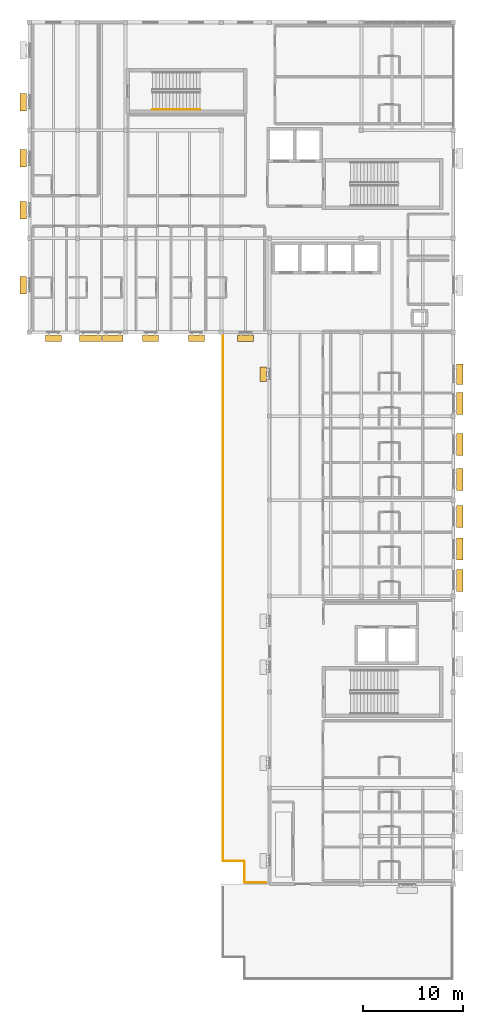
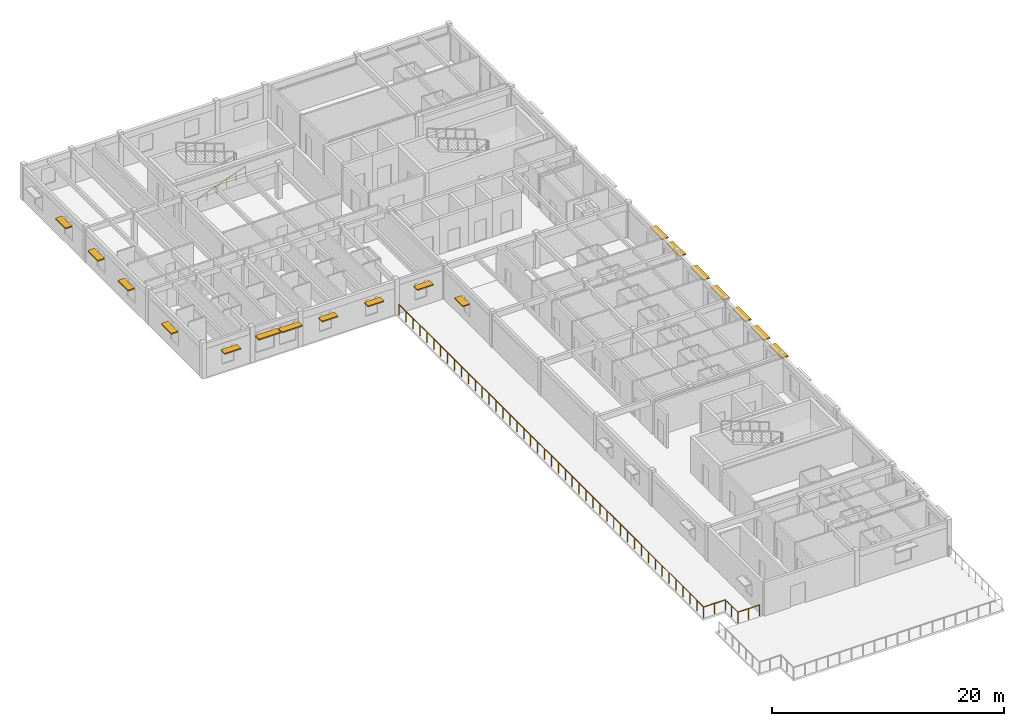
# One storey, part 16 of 18: 18 shading devices, 2 railings.
"""IFC4 building model written with IfcOpenShell, lengths in metres."""

from ifc_helpers import new_model, si_unit, direction, frame, origin, origin_2d, place, context, subcontext, project, spatial, rectangle, circle, extrude, material, type_object, element, save


model = new_model("IFC4")

# Units and contexts
model_context = context("Model", 3, precision=1e-05, world=origin(), true_north=direction((0.0, 1.0)))
body_context = subcontext(model_context, "Body", "Model", "MODEL_VIEW")
ifc_project = project(units=[si_unit("LENGTHUNIT", "METRE"), si_unit("AREAUNIT", "SQUARE_METRE"), si_unit("VOLUMEUNIT", "CUBIC_METRE"), si_unit("PLANEANGLEUNIT", "RADIAN"), si_unit("MASSUNIT", "GRAM", prefix="KILO")], contexts=[model_context])

# Site, building, storey
site_placement = place(None, origin())
site = spatial("IfcSite", under=ifc_project, at=site_placement, CompositionType="ELEMENT")
building_placement = place(site_placement, origin())
building = spatial("IfcBuilding", under=site, at=building_placement, Name="Veldera Park Congress Hotel", CompositionType="ELEMENT")
storey_placement = place(building_placement, frame((0.0, 0.0, 31.39990234375)))
storey = spatial("IfcBuildingStorey", under=building, at=storey_placement, Name="L07", CompositionType="ELEMENT", Elevation=31.39990234375)

# Railings
ifc_material_1 = material(Name="Steel ASTM A992 Gr.50", Category="steel")
railing_type_1 = type_object("IfcRailingType", Name="GRD-EXT115", PredefinedType="GUARDRAIL", material=ifc_material_1)
railing_1_placement = place(storey_placement, frame((65.260009765625, -28.06005859375, 0.0)))
element("IfcRailing", 1, at=railing_1_placement, inside=storey, type_object=railing_type_1, Name="L07 Terrace Guard 006", PredefinedType="GUARDRAIL", context=body_context, shape_type="SweptSolid", body=[
    extrude(circle(Radius=0.02392578125, at=origin_2d()), frame((0.0, 0.0, 1.1259765625), z_axis=(-1.0, 0.0, 0.0), x_axis=(0.0, -1.0, 0.0)), (0.0, 0.0, 1.0), 2.169921875),
    extrude(circle(Radius=0.02392578125, at=origin_2d()), frame((-2.169921875, 0.0, 1.1259765625), z_axis=(0.0, 1.0, 0.0), x_axis=(-1.0, 0.0, 0.0)), (0.0, 0.0, 1.0), 2.150146484375),
    extrude(circle(Radius=0.02392578125, at=origin_2d()), frame((-2.169921875, 2.150146484375, 1.1259765625), z_axis=(-1.0, 0.0, 0.0), x_axis=(0.0, -1.0, 0.0)), (0.0, 0.0, 1.0), 2.150146484375),
    extrude(circle(Radius=0.02392578125, at=origin_2d()), frame((-4.320068359375, 2.150146484375, 1.1259765625), z_axis=(0.0, 1.0, 0.0), x_axis=(-1.0, 0.0, 0.0)), (0.0, 0.0, 1.0), 52.56982421875),
    extrude(circle(Radius=0.02099609375, at=origin_2d()), origin(), (0.0, 0.0, 1.0), 1.101806640625),
    extrude(circle(Radius=0.02099609375, at=origin_2d()), frame((-1.0849609375, 0.0, 0.0)), (0.0, 0.0, 1.0), 1.101806640625),
    extrude(circle(Radius=0.02099609375, at=origin_2d()), frame((-2.169921875, 0.0, 0.0)), (0.0, 0.0, 1.0), 1.101806640625),
    extrude(circle(Radius=0.02099609375, at=origin_2d()), frame((-2.169921875, 1.0751953125, 0.0)), (0.0, 0.0, 1.0), 1.101806640625),
    extrude(circle(Radius=0.02099609375, at=origin_2d()), frame((-2.169921875, 2.150146484375, 0.0)), (0.0, 0.0, 1.0), 1.101806640625),
    extrude(circle(Radius=0.02099609375, at=origin_2d()), frame((-3.2451171875, 2.150146484375, 0.0)), (0.0, 0.0, 1.0), 1.101806640625),
    extrude(circle(Radius=0.02099609375, at=origin_2d()), frame((-4.320068359375, 2.150146484375, 0.0)), (0.0, 0.0, 1.0), 1.101806640625),
    extrude(circle(Radius=0.02099609375, at=origin_2d()), frame((-4.320068359375, 3.344970703125, 0.0)), (0.0, 0.0, 1.0), 1.101806640625),
    extrude(circle(Radius=0.02099609375, at=origin_2d()), frame((-4.320068359375, 4.539794921875, 0.0)), (0.0, 0.0, 1.0), 1.101806640625),
    extrude(circle(Radius=0.02099609375, at=origin_2d()), frame((-4.320068359375, 5.734375, 0.0)), (0.0, 0.0, 1.0), 1.101806640625),
    extrude(circle(Radius=0.02099609375, at=origin_2d()), frame((-4.320068359375, 6.92919921875, 0.0)), (0.0, 0.0, 1.0), 1.101806640625),
    extrude(circle(Radius=0.02099609375, at=origin_2d()), frame((-4.320068359375, 8.1240234375, 0.0)), (0.0, 0.0, 1.0), 1.101806640625),
    extrude(circle(Radius=0.02099609375, at=origin_2d()), frame((-4.320068359375, 9.31884765625, 0.0)), (0.0, 0.0, 1.0), 1.101806640625),
    extrude(circle(Radius=0.02099609375, at=origin_2d()), frame((-4.320068359375, 10.513427734375, 0.0)), (0.0, 0.0, 1.0), 1.101806640625),
    extrude(circle(Radius=0.02099609375, at=origin_2d()), frame((-4.320068359375, 11.708251953125, 0.0)), (0.0, 0.0, 1.0), 1.101806640625),
    extrude(circle(Radius=0.02099609375, at=origin_2d()), frame((-4.320068359375, 12.903076171875, 0.0)), (0.0, 0.0, 1.0), 1.101806640625),
    extrude(circle(Radius=0.02099609375, at=origin_2d()), frame((-4.320068359375, 14.097900390625, 0.0)), (0.0, 0.0, 1.0), 1.101806640625),
    extrude(circle(Radius=0.02099609375, at=origin_2d()), frame((-4.320068359375, 15.29248046875, 0.0)), (0.0, 0.0, 1.0), 1.101806640625),
    extrude(circle(Radius=0.02099609375, at=origin_2d()), frame((-4.320068359375, 16.4873046875, 0.0)), (0.0, 0.0, 1.0), 1.101806640625),
    extrude(circle(Radius=0.02099609375, at=origin_2d()), frame((-4.320068359375, 17.68212890625, 0.0)), (0.0, 0.0, 1.0), 1.101806640625),
    extrude(circle(Radius=0.02099609375, at=origin_2d()), frame((-4.320068359375, 18.876953125, 0.0)), (0.0, 0.0, 1.0), 1.101806640625),
    extrude(circle(Radius=0.02099609375, at=origin_2d()), frame((-4.320068359375, 20.07177734375, 0.0)), (0.0, 0.0, 1.0), 1.101806640625),
    extrude(circle(Radius=0.02099609375, at=origin_2d()), frame((-4.320068359375, 21.266357421875, 0.0)), (0.0, 0.0, 1.0), 1.101806640625),
    extrude(circle(Radius=0.02099609375, at=origin_2d()), frame((-4.320068359375, 22.461181640625, 0.0)), (0.0, 0.0, 1.0), 1.101806640625),
    extrude(circle(Radius=0.02099609375, at=origin_2d()), frame((-4.320068359375, 23.656005859375, 0.0)), (0.0, 0.0, 1.0), 1.101806640625),
    extrude(circle(Radius=0.02099609375, at=origin_2d()), frame((-4.320068359375, 24.850830078125, 0.0)), (0.0, 0.0, 1.0), 1.101806640625),
    extrude(circle(Radius=0.02099609375, at=origin_2d()), frame((-4.320068359375, 26.04541015625, 0.0)), (0.0, 0.0, 1.0), 1.101806640625),
    extrude(circle(Radius=0.02099609375, at=origin_2d()), frame((-4.320068359375, 27.240234375, 0.0)), (0.0, 0.0, 1.0), 1.101806640625),
    extrude(circle(Radius=0.02099609375, at=origin_2d()), frame((-4.320068359375, 28.43505859375, 0.0)), (0.0, 0.0, 1.0), 1.101806640625),
    extrude(circle(Radius=0.02099609375, at=origin_2d()), frame((-4.320068359375, 29.6298828125, 0.0)), (0.0, 0.0, 1.0), 1.101806640625),
    extrude(circle(Radius=0.02099609375, at=origin_2d()), frame((-4.320068359375, 30.82470703125, 0.0)), (0.0, 0.0, 1.0), 1.101806640625),
    extrude(circle(Radius=0.02099609375, at=origin_2d()), frame((-4.320068359375, 32.019287109375, 0.0)), (0.0, 0.0, 1.0), 1.101806640625),
    extrude(circle(Radius=0.02099609375, at=origin_2d()), frame((-4.320068359375, 33.214111328125, 0.0)), (0.0, 0.0, 1.0), 1.101806640625),
    extrude(circle(Radius=0.02099609375, at=origin_2d()), frame((-4.320068359375, 34.408935546875, 0.0)), (0.0, 0.0, 1.0), 1.101806640625),
    extrude(circle(Radius=0.02099609375, at=origin_2d()), frame((-4.320068359375, 35.603759765625, 0.0)), (0.0, 0.0, 1.0), 1.101806640625),
    extrude(circle(Radius=0.02099609375, at=origin_2d()), frame((-4.320068359375, 36.79833984375, 0.0)), (0.0, 0.0, 1.0), 1.101806640625),
    extrude(circle(Radius=0.02099609375, at=origin_2d()), frame((-4.320068359375, 37.9931640625, 0.0)), (0.0, 0.0, 1.0), 1.101806640625),
    extrude(circle(Radius=0.02099609375, at=origin_2d()), frame((-4.320068359375, 39.18798828125, 0.0)), (0.0, 0.0, 1.0), 1.101806640625),
    extrude(circle(Radius=0.02099609375, at=origin_2d()), frame((-4.320068359375, 40.3828125, 0.0)), (0.0, 0.0, 1.0), 1.101806640625),
    extrude(circle(Radius=0.02099609375, at=origin_2d()), frame((-4.320068359375, 41.57763671875, 0.0)), (0.0, 0.0, 1.0), 1.101806640625),
    extrude(circle(Radius=0.02099609375, at=origin_2d()), frame((-4.320068359375, 42.772216796875, 0.0)), (0.0, 0.0, 1.0), 1.101806640625),
    extrude(circle(Radius=0.02099609375, at=origin_2d()), frame((-4.320068359375, 43.967041015625, 0.0)), (0.0, 0.0, 1.0), 1.101806640625),
    extrude(circle(Radius=0.02099609375, at=origin_2d()), frame((-4.320068359375, 45.161865234375, 0.0)), (0.0, 0.0, 1.0), 1.101806640625),
    extrude(circle(Radius=0.02099609375, at=origin_2d()), frame((-4.320068359375, 46.356689453125, 0.0)), (0.0, 0.0, 1.0), 1.101806640625),
    extrude(circle(Radius=0.02099609375, at=origin_2d()), frame((-4.320068359375, 47.55126953125, 0.0)), (0.0, 0.0, 1.0), 1.101806640625),
    extrude(circle(Radius=0.02099609375, at=origin_2d()), frame((-4.320068359375, 48.74609375, 0.0)), (0.0, 0.0, 1.0), 1.101806640625),
    extrude(circle(Radius=0.02099609375, at=origin_2d()), frame((-4.320068359375, 49.94091796875, 0.0)), (0.0, 0.0, 1.0), 1.101806640625),
    extrude(circle(Radius=0.02099609375, at=origin_2d()), frame((-4.320068359375, 51.1357421875, 0.0)), (0.0, 0.0, 1.0), 1.101806640625),
    extrude(circle(Radius=0.02099609375, at=origin_2d()), frame((-4.320068359375, 52.330322265625, 0.0)), (0.0, 0.0, 1.0), 1.101806640625),
    extrude(circle(Radius=0.02099609375, at=origin_2d()), frame((-4.320068359375, 53.525146484375, 0.0)), (0.0, 0.0, 1.0), 1.101806640625),
    extrude(circle(Radius=0.02099609375, at=origin_2d()), frame((-4.320068359375, 54.719970703125, 0.0)), (0.0, 0.0, 1.0), 1.101806640625),
])
railing_type_2 = type_object("IfcRailingType", Name="HRL-920", PredefinedType="HANDRAIL", material=ifc_material_1)
railing_2_placement = place(storey_placement, frame((53.89990234375, 49.25, 0.126708984375)))
element("IfcRailing", 2, at=railing_2_placement, inside=storey, type_object=railing_type_2, Name="L07 ST3 stair handrail 1", PredefinedType="HANDRAIL", context=body_context, shape_type="SweptSolid", body=[
    extrude(circle(Radius=0.02392578125, at=origin_2d()), frame((0.0, 0.0, 0.89599609375), z_axis=(0.937075640343, 0.0, 0.349126401572), x_axis=(0.0, 1.0, 0.0)), (0.0, 0.0, 1.0), 5.07958984375),
    extrude(circle(Radius=0.02099609375, at=origin_2d()), origin(), (0.0, 0.0, 1.0), 0.871826171875),
    extrude(circle(Radius=0.02099609375, at=origin_2d()), frame((0.951904296875, 0.0, 0.354736328125)), (0.0, 0.0, 1.0), 0.871826171875),
    extrude(circle(Radius=0.02099609375, at=origin_2d()), frame((1.904052734375, 0.0, 0.70947265625)), (0.0, 0.0, 1.0), 0.871826171875),
    extrude(circle(Radius=0.02099609375, at=origin_2d()), frame((2.85595703125, 0.0, 1.06396484375)), (0.0, 0.0, 1.0), 0.871826171875),
    extrude(circle(Radius=0.02099609375, at=origin_2d()), frame((3.80810546875, 0.0, 1.418701171875)), (0.0, 0.0, 1.0), 0.871826171875),
    extrude(circle(Radius=0.02099609375, at=origin_2d()), frame((4.760009765625, 0.0, 1.7734375)), (0.0, 0.0, 1.0), 0.871826171875),
])

# Shading devices
ifc_material_2 = material(Name="Glulam GL28h (NDS 24F-V4)", Category="wood")
shading_device_type = type_object("IfcShadingDeviceType", Name="SHD-LVR300", PredefinedType="JALOUSIE", material=ifc_material_2)
shading_device_1_placement = place(storey_placement, frame((84.625, 22.800048828125, 2.669921875), z_axis=(0.0, 0.0, 1.0), x_axis=(0.0, 1.0, 0.0)))
element("IfcShadingDevice", 3, at=shading_device_1_placement, inside=storey, type_object=shading_device_type, Name="Glulam Solar Shade 192", PredefinedType="JALOUSIE", context=body_context, shape_type="SweptSolid", body=[
    extrude(rectangle(XDim=2.050048828125, YDim=0.64990234375, at=origin_2d()), origin(), (0.0, 0.0, 1.0), 0.1201171875),
])
for number, where, z_axis, x_axis, name in (
    (4, (40.97509765625, 50.000244140625, 2.52001953125), (0.0, 0.0, 1.0), (0.0, -1.0, 0.0), "Glulam Solar Shade 196"),
    (5, (40.97509765625, 44.39599609375, 2.52001953125), (0.0, 0.0, 1.0), (0.0, -1.0, 0.0), "Glulam Solar Shade 197"),
    (6, (40.97509765625, 39.2041015625, 2.52001953125), (0.0, 0.0, 1.0), (0.0, -1.0, 0.0), "Glulam Solar Shade 198"),
    (7, (40.97509765625, 31.70751953125, 2.52001953125), (0.0, 0.0, 1.0), (0.0, -1.0, 0.0), "Glulam Solar Shade 199"),
):
    element("IfcShadingDevice", number, at=place(storey_placement, frame(where, z_axis=z_axis, x_axis=x_axis)), inside=storey, type_object=shading_device_type, Name=name, PredefinedType="JALOUSIE", context=body_context, shape_type="SweptSolid", body=[
        extrude(rectangle(XDim=1.75, YDim=0.64990234375, at=origin_2d()), origin(), (0.0, 0.0, 1.0), 0.1201171875),
    ])
for number, where, z_axis, x_axis, name in (
    (8, (44.0, 26.375, 2.419921875), (0.0, 0.0, 1.0), (1.0, 0.0, 0.0), "Glulam Solar Shade 200"),
    (9, (53.71142578125, 26.375, 2.419921875), (0.0, 0.0, 1.0), (1.0, 0.0, 0.0), "Glulam Solar Shade 201"),
    (10, (58.28857421875, 26.375, 2.419921875), (0.0, 0.0, 1.0), (1.0, 0.0, 0.0), "Glulam Solar Shade 202"),
    (11, (63.20751953125, 26.375, 2.419921875), (0.0, 0.0, 1.0), (1.0, 0.0, 0.0), "Glulam Solar Shade 203"),
):
    element("IfcShadingDevice", number, at=place(storey_placement, frame(where, z_axis=z_axis, x_axis=x_axis)), inside=storey, type_object=shading_device_type, Name=name, PredefinedType="JALOUSIE", context=body_context, shape_type="SweptSolid", body=[
        extrude(rectangle(XDim=1.60009765625, YDim=0.64990234375, at=origin_2d()), origin(), (0.0, 0.0, 1.0), 0.1201171875),
    ])
shading_device_2_placement = place(storey_placement, frame((64.97509765625, 22.800048828125, 2.320068359375), z_axis=(0.0, 0.0, 1.0), x_axis=(0.0, -1.0, 0.0)))
element("IfcShadingDevice", 12, at=shading_device_2_placement, inside=storey, type_object=shading_device_type, Name="Glulam Solar Shade 204", PredefinedType="JALOUSIE", context=body_context, shape_type="SweptSolid", body=[
    extrude(rectangle(XDim=1.449951171875, YDim=0.64990234375, at=origin_2d()), origin(), (0.0, 0.0, 1.0), 0.1201171875),
])
for number, where, z_axis, x_axis, name in (
    (13, (84.625, 2.16650390625, 2.719970703125), (0.0, 0.0, 1.0), (0.0, 1.0, 0.0), "Glulam Solar Shade 458"),
    (14, (84.625, 5.31005859375, 2.719970703125), (0.0, 0.0, 1.0), (0.0, 1.0, 0.0), "Glulam Solar Shade 459"),
    (15, (84.625, 8.54345703125, 2.719970703125), (0.0, 0.0, 1.0), (0.0, 1.0, 0.0), "Glulam Solar Shade 460"),
    (16, (84.625, 12.27001953125, 2.719970703125), (0.0, 0.0, 1.0), (0.0, 1.0, 0.0), "Glulam Solar Shade 461"),
    (17, (84.625, 15.75, 2.719970703125), (0.0, 0.0, 1.0), (0.0, 1.0, 0.0), "Glulam Solar Shade 462"),
    (18, (84.625, 19.866455078125, 2.719970703125), (0.0, 0.0, 1.0), (0.0, 1.0, 0.0), "Glulam Solar Shade 463"),
    (19, (47.70654296875, 26.375, 2.719970703125), (0.0, 0.0, 1.0), (1.0, 0.0, 0.0), "Glulam Solar Shade 464"),
):
    element("IfcShadingDevice", number, at=place(storey_placement, frame(where, z_axis=z_axis, x_axis=x_axis)), inside=storey, type_object=shading_device_type, Name=name, PredefinedType="JALOUSIE", context=body_context, shape_type="SweptSolid", body=[
        extrude(rectangle(XDim=2.199951171875, YDim=0.64990234375, at=origin_2d()), origin(), (0.0, 0.0, 1.0), 0.1201171875),
    ])
shading_device_3_placement = place(storey_placement, frame((49.943603515625, 26.375, 2.669921875), z_axis=(0.0, 0.0, 1.0), x_axis=(1.0, 0.0, 0.0)))
element("IfcShadingDevice", 20, at=shading_device_3_placement, inside=storey, type_object=shading_device_type, Name="Glulam Solar Shade 465", PredefinedType="JALOUSIE", context=body_context, shape_type="SweptSolid", body=[
    extrude(rectangle(XDim=2.050048828125, YDim=0.64990234375, at=origin_2d()), origin(), (0.0, 0.0, 1.0), 0.1201171875),
])

save(model, "model.ifc")
